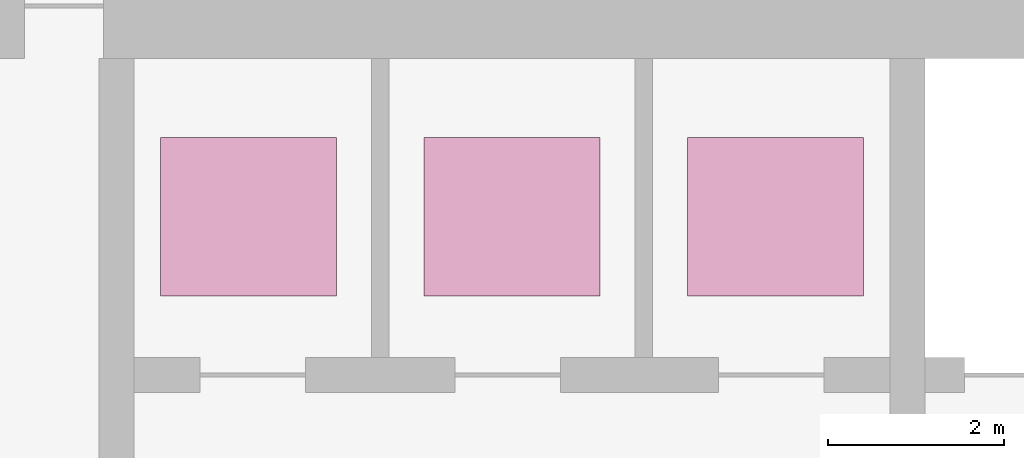
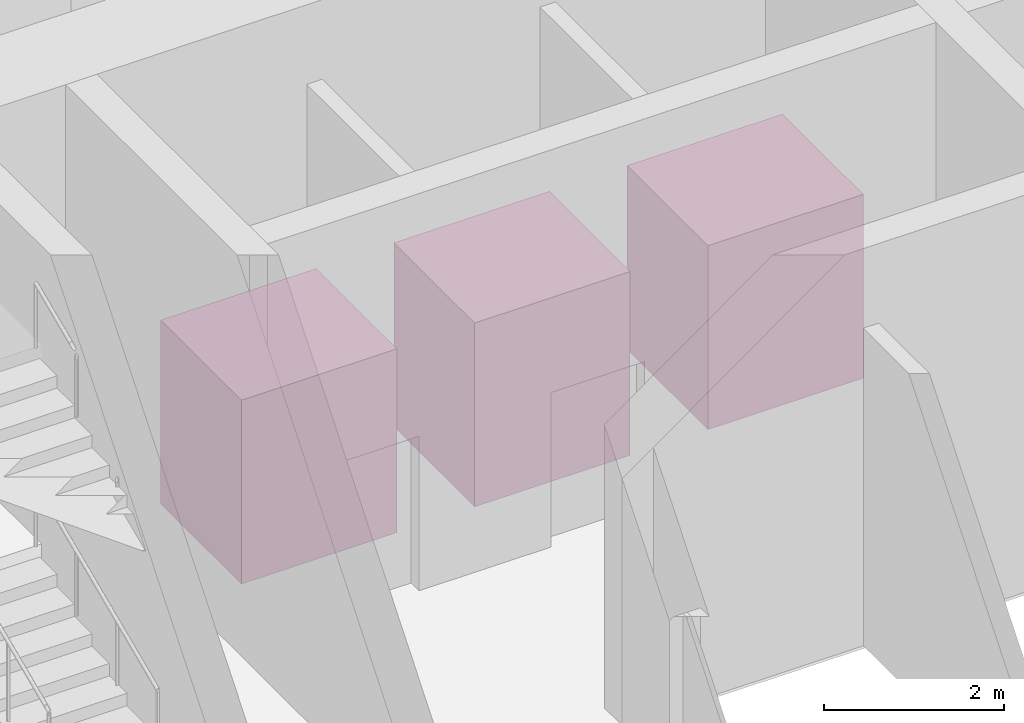
# One storey, part 31 of 31: 3 transport elements.
"""IFC4 building model written with IfcOpenShell, lengths in metres."""

from ifc_helpers import new_model, si_unit, direction, frame, origin, origin_2d, place, context, subcontext, project, spatial, rectangle, extrude, material, type_object, element, save


model = new_model("IFC4")

# Units and contexts
model_context = context("Model", 3, precision=1e-05, world=origin(), true_north=direction((0.0, 1.0)))
body_context = subcontext(model_context, "Body", "Model", "MODEL_VIEW")
ifc_project = project(units=[si_unit("LENGTHUNIT", "METRE"), si_unit("AREAUNIT", "SQUARE_METRE"), si_unit("VOLUMEUNIT", "CUBIC_METRE"), si_unit("PLANEANGLEUNIT", "RADIAN"), si_unit("MASSUNIT", "GRAM", prefix="KILO")], contexts=[model_context])

# Site, building, storey
site_placement = place(None, origin())
site = spatial("IfcSite", under=ifc_project, at=site_placement, CompositionType="ELEMENT")
building_placement = place(site_placement, origin())
building = spatial("IfcBuilding", under=site, at=building_placement, Name="Bicima Exchange Tower", CompositionType="ELEMENT")
storey_placement = place(building_placement, frame((0.0, 0.0, 236.0)))
storey = spatial("IfcBuildingStorey", under=building, at=storey_placement, Name="L53", CompositionType="ELEMENT", Elevation=236.0)

# Transport elements
ifc_material = material(Name="Stainless steel", Category="steel")
transport_element_type = type_object("IfcTransportElementType", Name="High-rise passenger lift car 2000 x 1800", PredefinedType="ELEVATOR", material=ifc_material)
for number, where, z_axis, x_axis, name in (
    (1, (5.10009765625, -3.0, 0.0), (0.0, 0.0, 1.0), (1.0, 0.0, 0.0), "HB1"),
    (2, (8.10009765625, -3.0, 0.0), (0.0, 0.0, 1.0), (1.0, 0.0, 0.0), "HB2"),
    (3, (11.10009765625, -3.0, 0.0), (0.0, 0.0, 1.0), (1.0, 0.0, 0.0), "HB3"),
):
    element("IfcTransportElement", number, at=place(storey_placement, frame(where, z_axis=z_axis, x_axis=x_axis)), inside=storey, type_object=transport_element_type, Name=name, PredefinedType="ELEVATOR", context=body_context, shape_type="SweptSolid", body=[
        extrude(rectangle(XDim=2.0, YDim=1.800048828125, at=origin_2d()), origin(), (0.0, 0.0, 1.0), 2.5),
    ])

save(model, "model.ifc")
